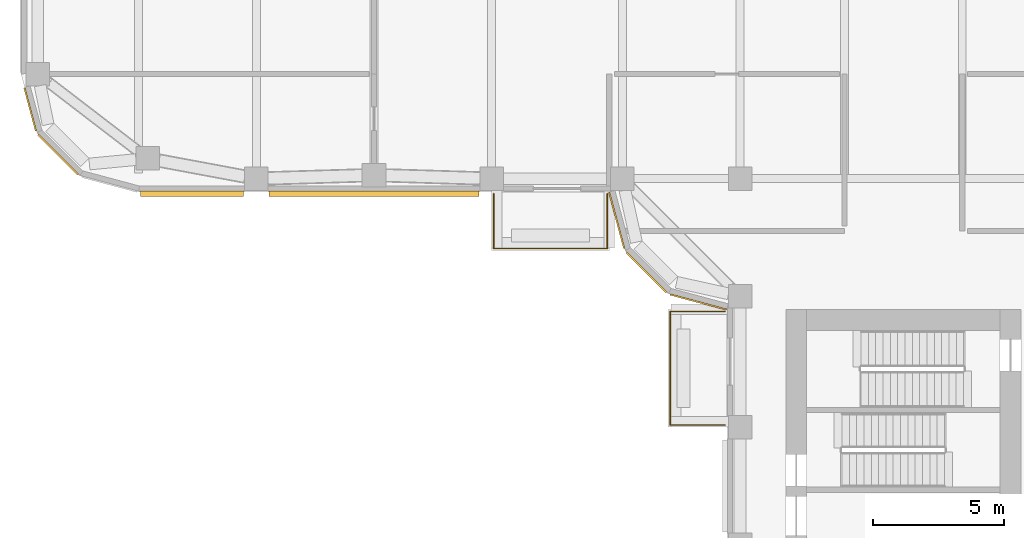
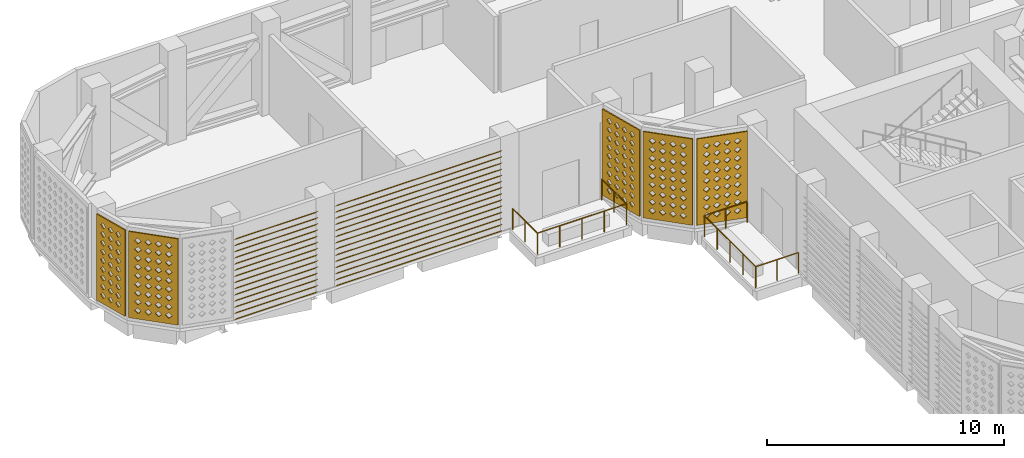
# One storey, part 10 of 20: 5 coverings, 2 railings, 2 shading devices.
"""IFC4 building model written with IfcOpenShell, lengths in metres."""

from ifc_helpers import new_model, si_unit, direction, frame, origin, origin_2d, place, context, subcontext, project, spatial, polyline, circle, outline, extrude, source, transform, mapped, material, layer, layer_set, type_object, element, save


model = new_model("IFC4")

# Units and contexts
model_context = context("Model", 3, precision=1e-05, world=origin(), true_north=direction((0.0, 1.0)))
body_context = subcontext(model_context, "Body", "Model", "MODEL_VIEW")
ifc_project = project(units=[si_unit("LENGTHUNIT", "METRE"), si_unit("AREAUNIT", "SQUARE_METRE"), si_unit("VOLUMEUNIT", "CUBIC_METRE"), si_unit("PLANEANGLEUNIT", "RADIAN"), si_unit("MASSUNIT", "GRAM", prefix="KILO")], contexts=[model_context])

# Site, building, storey
site_placement = place(None, origin())
site = spatial("IfcSite", under=ifc_project, at=site_placement, CompositionType="ELEMENT")
building_placement = place(site_placement, origin())
building = spatial("IfcBuilding", under=site, at=building_placement, Name="Zarbagh Exchange Tower", CompositionType="ELEMENT")
storey_placement = place(building_placement, frame((0.0, 0.0, 136.0)))
storey = spatial("IfcBuildingStorey", under=building, at=storey_placement, Name="L32", CompositionType="ELEMENT", Elevation=136.0)

# Railings
ifc_material_1 = material(Name="Stainless steel and laminated glass", Category="steel")
railing_type = type_object("IfcRailingType", Name="Terrace guard, glass balustrade 1.1 m", PredefinedType="GUARDRAIL", material=ifc_material_1)
railing_1_placement = place(storey_placement, frame((-6.830078125, -15.669921875, 0.0)))
element("IfcRailing", 1, at=railing_1_placement, inside=storey, type_object=railing_type, Name="TG01 terrace guard", PredefinedType="GUARDRAIL", context=body_context, shape_type="SweptSolid", body=[
    extrude(circle(Radius=0.02490234375, at=origin_2d()), frame((0.0, 0.0, 1.0751953125), z_axis=(-1.0, 0.0, 0.0), x_axis=(0.0, -1.0, 0.0)), (0.0, 0.0, 1.0), 2.08984375),
    extrude(circle(Radius=0.02490234375, at=origin_2d()), frame((-2.08984375, 0.0, 1.0751953125), z_axis=(0.0, 1.0, 0.0), x_axis=(-1.0, 0.0, 0.0)), (0.0, 0.0, 1.0), 4.33984375),
    extrude(circle(Radius=0.02490234375, at=origin_2d()), frame((-2.08984375, 4.33984375, 1.0751953125), z_axis=(1.0, 0.0, 0.0), x_axis=(0.0, 1.0, 0.0)), (0.0, 0.0, 1.0), 2.08984375),
    extrude(circle(Radius=0.02490234375, at=origin_2d()), origin(), (0.0, 0.0, 1.0), 1.050048828125),
    extrude(circle(Radius=0.02490234375, at=origin_2d()), frame((-1.044921875, 0.0, 0.0)), (0.0, 0.0, 1.0), 1.050048828125),
    extrude(circle(Radius=0.02490234375, at=origin_2d()), frame((-2.08984375, 0.0, 0.0)), (0.0, 0.0, 1.0), 1.050048828125),
    extrude(circle(Radius=0.02490234375, at=origin_2d()), frame((-2.08984375, 1.0849609375, 0.0)), (0.0, 0.0, 1.0), 1.050048828125),
    extrude(circle(Radius=0.02490234375, at=origin_2d()), frame((-2.08984375, 2.169921875, 0.0)), (0.0, 0.0, 1.0), 1.050048828125),
    extrude(circle(Radius=0.02490234375, at=origin_2d()), frame((-2.08984375, 3.2548828125, 0.0)), (0.0, 0.0, 1.0), 1.050048828125),
    extrude(circle(Radius=0.02490234375, at=origin_2d()), frame((-2.08984375, 4.33984375, 0.0)), (0.0, 0.0, 1.0), 1.050048828125),
    extrude(circle(Radius=0.02490234375, at=origin_2d()), frame((-1.044921875, 4.33984375, 0.0)), (0.0, 0.0, 1.0), 1.050048828125),
    extrude(circle(Radius=0.02490234375, at=origin_2d()), frame((0.0, 4.33984375, 0.0)), (0.0, 0.0, 1.0), 1.050048828125),
])
railing_2_placement = place(storey_placement, frame((-11.330078125, -6.830078125, 0.0)))
element("IfcRailing", 2, at=railing_2_placement, inside=storey, type_object=railing_type, Name="TG01 terrace guard", PredefinedType="GUARDRAIL", context=body_context, shape_type="SweptSolid", body=[
    extrude(circle(Radius=0.02490234375, at=origin_2d()), frame((0.0, 0.0, 1.0751953125), z_axis=(0.0, -1.0, 0.0), x_axis=(1.0, 0.0, 0.0)), (0.0, 0.0, 1.0), 2.08984375),
    extrude(circle(Radius=0.02490234375, at=origin_2d()), frame((0.0, -2.08984375, 1.0751953125), z_axis=(-1.0, 0.0, 0.0), x_axis=(0.0, -1.0, 0.0)), (0.0, 0.0, 1.0), 4.33984375),
    extrude(circle(Radius=0.02490234375, at=origin_2d()), frame((-4.33984375, -2.08984375, 1.0751953125), z_axis=(0.0, 1.0, 0.0), x_axis=(-1.0, 0.0, 0.0)), (0.0, 0.0, 1.0), 2.08984375),
    extrude(circle(Radius=0.02490234375, at=origin_2d()), origin(), (0.0, 0.0, 1.0), 1.050048828125),
    extrude(circle(Radius=0.02490234375, at=origin_2d()), frame((0.0, -1.044921875, 0.0)), (0.0, 0.0, 1.0), 1.050048828125),
    extrude(circle(Radius=0.02490234375, at=origin_2d()), frame((0.0, -2.08984375, 0.0)), (0.0, 0.0, 1.0), 1.050048828125),
    extrude(circle(Radius=0.02490234375, at=origin_2d()), frame((-1.0849609375, -2.08984375, 0.0)), (0.0, 0.0, 1.0), 1.050048828125),
    extrude(circle(Radius=0.02490234375, at=origin_2d()), frame((-2.169921875, -2.08984375, 0.0)), (0.0, 0.0, 1.0), 1.050048828125),
    extrude(circle(Radius=0.02490234375, at=origin_2d()), frame((-3.2548828125, -2.08984375, 0.0)), (0.0, 0.0, 1.0), 1.050048828125),
    extrude(circle(Radius=0.02490234375, at=origin_2d()), frame((-4.33984375, -2.08984375, 0.0)), (0.0, 0.0, 1.0), 1.050048828125),
    extrude(circle(Radius=0.02490234375, at=origin_2d()), frame((-4.33984375, -1.044921875, 0.0)), (0.0, 0.0, 1.0), 1.050048828125),
    extrude(circle(Radius=0.02490234375, at=origin_2d()), frame((-4.33984375, 0.0, 0.0)), (0.0, 0.0, 1.0), 1.050048828125),
])

# Coverings
ifc_material_2 = material(Name="Glass-fibre reinforced concrete GFRC C50/60", Category="concrete")
ifc_layer = layer(ifc_material_2, 0.06005859375)
ifc_layer_set = layer_set([ifc_layer], Name="SCREEN jali panel, GFRC")
covering_type = type_object("IfcCoveringType", Name="SCREEN jali panel, GFRC", PredefinedType="CLADDING", material=ifc_layer_set)
shared_shape_1 = source(origin(), body_context, "Body", "SweptSolid", [
    extrude(outline(polyline([(0.0, 0.0), (2.1650390625, 0.0), (2.1650390625, 4.449951171875), (0.0, 4.449951171875), (0.0, 0.0)]), holes=[polyline([(0.257568359375, 0.425048828125), (0.407470703125, 0.27490234375), (0.5576171875, 0.425048828125), (0.407470703125, 0.574951171875), (0.257568359375, 0.425048828125)]), polyline([(0.257568359375, 0.875), (0.407470703125, 0.72509765625), (0.5576171875, 0.875), (0.407470703125, 1.02490234375), (0.257568359375, 0.875)]), polyline([(0.257568359375, 1.324951171875), (0.407470703125, 1.175048828125), (0.5576171875, 1.324951171875), (0.407470703125, 1.47509765625), (0.257568359375, 1.324951171875)]), polyline([(0.257568359375, 1.77490234375), (0.407470703125, 1.625), (0.5576171875, 1.77490234375), (0.407470703125, 1.925048828125), (0.257568359375, 1.77490234375)]), polyline([(0.257568359375, 2.22509765625), (0.407470703125, 2.074951171875), (0.5576171875, 2.22509765625), (0.407470703125, 2.375), (0.257568359375, 2.22509765625)]), polyline([(0.257568359375, 2.675048828125), (0.407470703125, 2.52490234375), (0.5576171875, 2.675048828125), (0.407470703125, 2.824951171875), (0.257568359375, 2.675048828125)]), polyline([(0.257568359375, 3.125), (0.407470703125, 2.97509765625), (0.5576171875, 3.125), (0.407470703125, 3.27490234375), (0.257568359375, 3.125)]), polyline([(0.257568359375, 3.574951171875), (0.407470703125, 3.425048828125), (0.5576171875, 3.574951171875), (0.407470703125, 3.72509765625), (0.257568359375, 3.574951171875)]), polyline([(0.257568359375, 4.02490234375), (0.407470703125, 3.875), (0.5576171875, 4.02490234375), (0.407470703125, 4.175048828125), (0.257568359375, 4.02490234375)]), polyline([(0.70751953125, 0.425048828125), (0.857421875, 0.27490234375), (1.007568359375, 0.425048828125), (0.857421875, 0.574951171875), (0.70751953125, 0.425048828125)]), polyline([(0.70751953125, 0.875), (0.857421875, 0.72509765625), (1.007568359375, 0.875), (0.857421875, 1.02490234375), (0.70751953125, 0.875)]), polyline([(0.70751953125, 1.324951171875), (0.857421875, 1.175048828125), (1.007568359375, 1.324951171875), (0.857421875, 1.47509765625), (0.70751953125, 1.324951171875)]), polyline([(0.70751953125, 1.77490234375), (0.857421875, 1.625), (1.007568359375, 1.77490234375), (0.857421875, 1.925048828125), (0.70751953125, 1.77490234375)]), polyline([(0.70751953125, 2.22509765625), (0.857421875, 2.074951171875), (1.007568359375, 2.22509765625), (0.857421875, 2.375), (0.70751953125, 2.22509765625)]), polyline([(0.70751953125, 2.675048828125), (0.857421875, 2.52490234375), (1.007568359375, 2.675048828125), (0.857421875, 2.824951171875), (0.70751953125, 2.675048828125)]), polyline([(0.70751953125, 3.125), (0.857421875, 2.97509765625), (1.007568359375, 3.125), (0.857421875, 3.27490234375), (0.70751953125, 3.125)]), polyline([(0.70751953125, 3.574951171875), (0.857421875, 3.425048828125), (1.007568359375, 3.574951171875), (0.857421875, 3.72509765625), (0.70751953125, 3.574951171875)]), polyline([(0.70751953125, 4.02490234375), (0.857421875, 3.875), (1.007568359375, 4.02490234375), (0.857421875, 4.175048828125), (0.70751953125, 4.02490234375)]), polyline([(1.157470703125, 0.425048828125), (1.3076171875, 0.27490234375), (1.45751953125, 0.425048828125), (1.3076171875, 0.574951171875), (1.157470703125, 0.425048828125)]), polyline([(1.157470703125, 0.875), (1.3076171875, 0.72509765625), (1.45751953125, 0.875), (1.3076171875, 1.02490234375), (1.157470703125, 0.875)]), polyline([(1.157470703125, 1.324951171875), (1.3076171875, 1.175048828125), (1.45751953125, 1.324951171875), (1.3076171875, 1.47509765625), (1.157470703125, 1.324951171875)]), polyline([(1.157470703125, 1.77490234375), (1.3076171875, 1.625), (1.45751953125, 1.77490234375), (1.3076171875, 1.925048828125), (1.157470703125, 1.77490234375)]), polyline([(1.157470703125, 2.22509765625), (1.3076171875, 2.074951171875), (1.45751953125, 2.22509765625), (1.3076171875, 2.375), (1.157470703125, 2.22509765625)]), polyline([(1.157470703125, 2.675048828125), (1.3076171875, 2.52490234375), (1.45751953125, 2.675048828125), (1.3076171875, 2.824951171875), (1.157470703125, 2.675048828125)]), polyline([(1.157470703125, 3.125), (1.3076171875, 2.97509765625), (1.45751953125, 3.125), (1.3076171875, 3.27490234375), (1.157470703125, 3.125)]), polyline([(1.157470703125, 3.574951171875), (1.3076171875, 3.425048828125), (1.45751953125, 3.574951171875), (1.3076171875, 3.72509765625), (1.157470703125, 3.574951171875)]), polyline([(1.157470703125, 4.02490234375), (1.3076171875, 3.875), (1.45751953125, 4.02490234375), (1.3076171875, 4.175048828125), (1.157470703125, 4.02490234375)]), polyline([(1.607421875, 0.425048828125), (1.757568359375, 0.27490234375), (1.907470703125, 0.425048828125), (1.757568359375, 0.574951171875), (1.607421875, 0.425048828125)]), polyline([(1.607421875, 0.875), (1.757568359375, 0.72509765625), (1.907470703125, 0.875), (1.757568359375, 1.02490234375), (1.607421875, 0.875)]), polyline([(1.607421875, 1.324951171875), (1.757568359375, 1.175048828125), (1.907470703125, 1.324951171875), (1.757568359375, 1.47509765625), (1.607421875, 1.324951171875)]), polyline([(1.607421875, 1.77490234375), (1.757568359375, 1.625), (1.907470703125, 1.77490234375), (1.757568359375, 1.925048828125), (1.607421875, 1.77490234375)]), polyline([(1.607421875, 2.22509765625), (1.757568359375, 2.074951171875), (1.907470703125, 2.22509765625), (1.757568359375, 2.375), (1.607421875, 2.22509765625)]), polyline([(1.607421875, 2.675048828125), (1.757568359375, 2.52490234375), (1.907470703125, 2.675048828125), (1.757568359375, 2.824951171875), (1.607421875, 2.675048828125)]), polyline([(1.607421875, 3.125), (1.757568359375, 2.97509765625), (1.907470703125, 3.125), (1.757568359375, 3.27490234375), (1.607421875, 3.125)]), polyline([(1.607421875, 3.574951171875), (1.757568359375, 3.425048828125), (1.907470703125, 3.574951171875), (1.757568359375, 3.72509765625), (1.607421875, 3.574951171875)]), polyline([(1.607421875, 4.02490234375), (1.757568359375, 3.875), (1.907470703125, 4.02490234375), (1.757568359375, 4.175048828125), (1.607421875, 4.02490234375)])]), origin(), (0.0, 0.0, 1.0), 0.06005859375),
])
placement = place(storey_placement, origin())
element("IfcCovering", 3, at=placement, inside=storey, type_object=covering_type, Name="JS32 jali screen", PredefinedType="CLADDING", context=body_context, shape_type="MappedRepresentation", body=[
    mapped(shared_shape_1, transform((-33.074951171875, -4.5439453125, 0.199951171875), x_axis=(0.707106781187, -0.707106781187, 0.0), y_axis=(0.0, 0.0, 1.0), z_axis=(-0.707106781187, -0.707106781187, 0.0))),
])
element("IfcCovering", 4, at=placement, inside=storey, type_object=covering_type, Name="JS35 jali screen", PredefinedType="CLADDING", context=body_context, shape_type="MappedRepresentation", body=[
    mapped(shared_shape_1, transform((-10.574951171875, -9.0439453125, 0.199951171875), x_axis=(0.707106781187, -0.707106781187, 0.0), y_axis=(0.0, 0.0, 1.0), z_axis=(-0.707106781187, -0.707106781187, 0.0))),
])
shared_shape_2 = source(origin(), body_context, "Body", "SweptSolid", [
    extrude(outline(polyline([(0.0, 0.0), (1.707763671875, 0.0), (1.707763671875, 4.449951171875), (0.0, 4.449951171875), (0.0, 0.0)]), holes=[polyline([(0.25390625, 0.425048828125), (0.40380859375, 0.27490234375), (0.553955078125, 0.425048828125), (0.40380859375, 0.574951171875), (0.25390625, 0.425048828125)]), polyline([(0.25390625, 0.875), (0.40380859375, 0.72509765625), (0.553955078125, 0.875), (0.40380859375, 1.02490234375), (0.25390625, 0.875)]), polyline([(0.25390625, 1.324951171875), (0.40380859375, 1.175048828125), (0.553955078125, 1.324951171875), (0.40380859375, 1.47509765625), (0.25390625, 1.324951171875)]), polyline([(0.25390625, 1.77490234375), (0.40380859375, 1.625), (0.553955078125, 1.77490234375), (0.40380859375, 1.925048828125), (0.25390625, 1.77490234375)]), polyline([(0.25390625, 2.22509765625), (0.40380859375, 2.074951171875), (0.553955078125, 2.22509765625), (0.40380859375, 2.375), (0.25390625, 2.22509765625)]), polyline([(0.25390625, 2.675048828125), (0.40380859375, 2.52490234375), (0.553955078125, 2.675048828125), (0.40380859375, 2.824951171875), (0.25390625, 2.675048828125)]), polyline([(0.25390625, 3.125), (0.40380859375, 2.97509765625), (0.553955078125, 3.125), (0.40380859375, 3.27490234375), (0.25390625, 3.125)]), polyline([(0.25390625, 3.574951171875), (0.40380859375, 3.425048828125), (0.553955078125, 3.574951171875), (0.40380859375, 3.72509765625), (0.25390625, 3.574951171875)]), polyline([(0.25390625, 4.02490234375), (0.40380859375, 3.875), (0.553955078125, 4.02490234375), (0.40380859375, 4.175048828125), (0.25390625, 4.02490234375)]), polyline([(0.703857421875, 0.425048828125), (0.85400390625, 0.27490234375), (1.00390625, 0.425048828125), (0.85400390625, 0.574951171875), (0.703857421875, 0.425048828125)]), polyline([(0.703857421875, 0.875), (0.85400390625, 0.72509765625), (1.00390625, 0.875), (0.85400390625, 1.02490234375), (0.703857421875, 0.875)]), polyline([(0.703857421875, 1.324951171875), (0.85400390625, 1.175048828125), (1.00390625, 1.324951171875), (0.85400390625, 1.47509765625), (0.703857421875, 1.324951171875)]), polyline([(0.703857421875, 1.77490234375), (0.85400390625, 1.625), (1.00390625, 1.77490234375), (0.85400390625, 1.925048828125), (0.703857421875, 1.77490234375)]), polyline([(0.703857421875, 2.22509765625), (0.85400390625, 2.074951171875), (1.00390625, 2.22509765625), (0.85400390625, 2.375), (0.703857421875, 2.22509765625)]), polyline([(0.703857421875, 2.675048828125), (0.85400390625, 2.52490234375), (1.00390625, 2.675048828125), (0.85400390625, 2.824951171875), (0.703857421875, 2.675048828125)]), polyline([(0.703857421875, 3.125), (0.85400390625, 2.97509765625), (1.00390625, 3.125), (0.85400390625, 3.27490234375), (0.703857421875, 3.125)]), polyline([(0.703857421875, 3.574951171875), (0.85400390625, 3.425048828125), (1.00390625, 3.574951171875), (0.85400390625, 3.72509765625), (0.703857421875, 3.574951171875)]), polyline([(0.703857421875, 4.02490234375), (0.85400390625, 3.875), (1.00390625, 4.02490234375), (0.85400390625, 4.175048828125), (0.703857421875, 4.02490234375)]), polyline([(1.15380859375, 0.425048828125), (1.303955078125, 0.27490234375), (1.453857421875, 0.425048828125), (1.303955078125, 0.574951171875), (1.15380859375, 0.425048828125)]), polyline([(1.15380859375, 0.875), (1.303955078125, 0.72509765625), (1.453857421875, 0.875), (1.303955078125, 1.02490234375), (1.15380859375, 0.875)]), polyline([(1.15380859375, 1.324951171875), (1.303955078125, 1.175048828125), (1.453857421875, 1.324951171875), (1.303955078125, 1.47509765625), (1.15380859375, 1.324951171875)]), polyline([(1.15380859375, 1.77490234375), (1.303955078125, 1.625), (1.453857421875, 1.77490234375), (1.303955078125, 1.925048828125), (1.15380859375, 1.77490234375)]), polyline([(1.15380859375, 2.22509765625), (1.303955078125, 2.074951171875), (1.453857421875, 2.22509765625), (1.303955078125, 2.375), (1.15380859375, 2.22509765625)]), polyline([(1.15380859375, 2.675048828125), (1.303955078125, 2.52490234375), (1.453857421875, 2.675048828125), (1.303955078125, 2.824951171875), (1.15380859375, 2.675048828125)]), polyline([(1.15380859375, 3.125), (1.303955078125, 2.97509765625), (1.453857421875, 3.125), (1.303955078125, 3.27490234375), (1.15380859375, 3.125)]), polyline([(1.15380859375, 3.574951171875), (1.303955078125, 3.425048828125), (1.453857421875, 3.574951171875), (1.303955078125, 3.72509765625), (1.15380859375, 3.574951171875)]), polyline([(1.15380859375, 4.02490234375), (1.303955078125, 3.875), (1.453857421875, 4.02490234375), (1.303955078125, 4.175048828125), (1.15380859375, 4.02490234375)])]), origin(), (0.0, 0.0, 1.0), 0.06005859375),
])
element("IfcCovering", 5, at=placement, inside=storey, type_object=covering_type, Name="JS31 jali screen", PredefinedType="CLADDING", context=body_context, shape_type="MappedRepresentation", body=[
    mapped(shared_shape_2, transform((-33.591064453125, -2.765869140625, 0.199951171875), x_axis=(0.258825057666, -0.965924215207, 0.0), y_axis=(0.0, 0.0, 1.0), z_axis=(-0.965924215207, -0.258825057666, 0.0))),
])
shared_shape_3 = source(origin(), body_context, "Body", "SweptSolid", [
    extrude(outline(polyline([(0.0, 0.0), (2.225341796875, 0.0), (2.225341796875, 4.449951171875), (0.0, 4.449951171875), (0.0, 0.0)]), holes=[polyline([(0.28759765625, 0.425048828125), (0.437744140625, 0.27490234375), (0.587646484375, 0.425048828125), (0.437744140625, 0.574951171875), (0.28759765625, 0.425048828125)]), polyline([(0.28759765625, 0.875), (0.437744140625, 0.72509765625), (0.587646484375, 0.875), (0.437744140625, 1.02490234375), (0.28759765625, 0.875)]), polyline([(0.28759765625, 1.324951171875), (0.437744140625, 1.175048828125), (0.587646484375, 1.324951171875), (0.437744140625, 1.47509765625), (0.28759765625, 1.324951171875)]), polyline([(0.28759765625, 1.77490234375), (0.437744140625, 1.625), (0.587646484375, 1.77490234375), (0.437744140625, 1.925048828125), (0.28759765625, 1.77490234375)]), polyline([(0.28759765625, 2.22509765625), (0.437744140625, 2.074951171875), (0.587646484375, 2.22509765625), (0.437744140625, 2.375), (0.28759765625, 2.22509765625)]), polyline([(0.28759765625, 2.675048828125), (0.437744140625, 2.52490234375), (0.587646484375, 2.675048828125), (0.437744140625, 2.824951171875), (0.28759765625, 2.675048828125)]), polyline([(0.28759765625, 3.125), (0.437744140625, 2.97509765625), (0.587646484375, 3.125), (0.437744140625, 3.27490234375), (0.28759765625, 3.125)]), polyline([(0.28759765625, 3.574951171875), (0.437744140625, 3.425048828125), (0.587646484375, 3.574951171875), (0.437744140625, 3.72509765625), (0.28759765625, 3.574951171875)]), polyline([(0.28759765625, 4.02490234375), (0.437744140625, 3.875), (0.587646484375, 4.02490234375), (0.437744140625, 4.175048828125), (0.28759765625, 4.02490234375)]), polyline([(0.73779296875, 0.425048828125), (0.8876953125, 0.27490234375), (1.03759765625, 0.425048828125), (0.8876953125, 0.574951171875), (0.73779296875, 0.425048828125)]), polyline([(0.73779296875, 0.875), (0.8876953125, 0.72509765625), (1.03759765625, 0.875), (0.8876953125, 1.02490234375), (0.73779296875, 0.875)]), polyline([(0.73779296875, 1.324951171875), (0.8876953125, 1.175048828125), (1.03759765625, 1.324951171875), (0.8876953125, 1.47509765625), (0.73779296875, 1.324951171875)]), polyline([(0.73779296875, 1.77490234375), (0.8876953125, 1.625), (1.03759765625, 1.77490234375), (0.8876953125, 1.925048828125), (0.73779296875, 1.77490234375)]), polyline([(0.73779296875, 2.22509765625), (0.8876953125, 2.074951171875), (1.03759765625, 2.22509765625), (0.8876953125, 2.375), (0.73779296875, 2.22509765625)]), polyline([(0.73779296875, 2.675048828125), (0.8876953125, 2.52490234375), (1.03759765625, 2.675048828125), (0.8876953125, 2.824951171875), (0.73779296875, 2.675048828125)]), polyline([(0.73779296875, 3.125), (0.8876953125, 2.97509765625), (1.03759765625, 3.125), (0.8876953125, 3.27490234375), (0.73779296875, 3.125)]), polyline([(0.73779296875, 3.574951171875), (0.8876953125, 3.425048828125), (1.03759765625, 3.574951171875), (0.8876953125, 3.72509765625), (0.73779296875, 3.574951171875)]), polyline([(0.73779296875, 4.02490234375), (0.8876953125, 3.875), (1.03759765625, 4.02490234375), (0.8876953125, 4.175048828125), (0.73779296875, 4.02490234375)]), polyline([(1.187744140625, 0.425048828125), (1.337646484375, 0.27490234375), (1.48779296875, 0.425048828125), (1.337646484375, 0.574951171875), (1.187744140625, 0.425048828125)]), polyline([(1.187744140625, 0.875), (1.337646484375, 0.72509765625), (1.48779296875, 0.875), (1.337646484375, 1.02490234375), (1.187744140625, 0.875)]), polyline([(1.187744140625, 1.324951171875), (1.337646484375, 1.175048828125), (1.48779296875, 1.324951171875), (1.337646484375, 1.47509765625), (1.187744140625, 1.324951171875)]), polyline([(1.187744140625, 1.77490234375), (1.337646484375, 1.625), (1.48779296875, 1.77490234375), (1.337646484375, 1.925048828125), (1.187744140625, 1.77490234375)]), polyline([(1.187744140625, 2.22509765625), (1.337646484375, 2.074951171875), (1.48779296875, 2.22509765625), (1.337646484375, 2.375), (1.187744140625, 2.22509765625)]), polyline([(1.187744140625, 2.675048828125), (1.337646484375, 2.52490234375), (1.48779296875, 2.675048828125), (1.337646484375, 2.824951171875), (1.187744140625, 2.675048828125)]), polyline([(1.187744140625, 3.125), (1.337646484375, 2.97509765625), (1.48779296875, 3.125), (1.337646484375, 3.27490234375), (1.187744140625, 3.125)]), polyline([(1.187744140625, 3.574951171875), (1.337646484375, 3.425048828125), (1.48779296875, 3.574951171875), (1.337646484375, 3.72509765625), (1.187744140625, 3.574951171875)]), polyline([(1.187744140625, 4.02490234375), (1.337646484375, 3.875), (1.48779296875, 4.02490234375), (1.337646484375, 4.175048828125), (1.187744140625, 4.02490234375)]), polyline([(1.6376953125, 0.425048828125), (1.78759765625, 0.27490234375), (1.937744140625, 0.425048828125), (1.78759765625, 0.574951171875), (1.6376953125, 0.425048828125)]), polyline([(1.6376953125, 0.875), (1.78759765625, 0.72509765625), (1.937744140625, 0.875), (1.78759765625, 1.02490234375), (1.6376953125, 0.875)]), polyline([(1.6376953125, 1.324951171875), (1.78759765625, 1.175048828125), (1.937744140625, 1.324951171875), (1.78759765625, 1.47509765625), (1.6376953125, 1.324951171875)]), polyline([(1.6376953125, 1.77490234375), (1.78759765625, 1.625), (1.937744140625, 1.77490234375), (1.78759765625, 1.925048828125), (1.6376953125, 1.77490234375)]), polyline([(1.6376953125, 2.22509765625), (1.78759765625, 2.074951171875), (1.937744140625, 2.22509765625), (1.78759765625, 2.375), (1.6376953125, 2.22509765625)]), polyline([(1.6376953125, 2.675048828125), (1.78759765625, 2.52490234375), (1.937744140625, 2.675048828125), (1.78759765625, 2.824951171875), (1.6376953125, 2.675048828125)]), polyline([(1.6376953125, 3.125), (1.78759765625, 2.97509765625), (1.937744140625, 3.125), (1.78759765625, 3.27490234375), (1.6376953125, 3.125)]), polyline([(1.6376953125, 3.574951171875), (1.78759765625, 3.425048828125), (1.937744140625, 3.574951171875), (1.78759765625, 3.72509765625), (1.6376953125, 3.574951171875)]), polyline([(1.6376953125, 4.02490234375), (1.78759765625, 3.875), (1.937744140625, 4.02490234375), (1.78759765625, 4.175048828125), (1.6376953125, 4.02490234375)])]), origin(), (0.0, 0.0, 1.0), 0.06005859375),
])
element("IfcCovering", 6, at=placement, inside=storey, type_object=covering_type, Name="JS34 jali screen", PredefinedType="CLADDING", context=body_context, shape_type="MappedRepresentation", body=[
    mapped(shared_shape_3, transform((-11.22509765625, -6.765869140625, 0.199951171875), x_axis=(0.258825057666, -0.965924215207, 0.0), y_axis=(0.0, 0.0, 1.0), z_axis=(-0.965924215207, -0.258825057666, 0.0))),
])
element("IfcCovering", 7, at=placement, inside=storey, type_object=covering_type, Name="JS36 jali screen", PredefinedType="CLADDING", context=body_context, shape_type="MappedRepresentation", body=[
    mapped(shared_shape_3, transform((-8.91552734375, -10.64892578125, 0.199951171875), x_axis=(0.965924215207, -0.258825057666, 0.0), y_axis=(0.0, 0.0, 1.0), z_axis=(-0.258825057666, -0.965924215207, 0.0))),
])

# Shading devices
ifc_material_3 = material(Name="Anodised aluminium", Category="aluminium")
shading_device_type = type_object("IfcShadingDeviceType", Name="LOUVRE plant louvre, fixed blades", PredefinedType="USERDEFINED", material=ifc_material_3)
shared_shape_4 = source(origin(), body_context, "Body", "SweptSolid", [
    extrude(outline(polyline([(0.0, 0.199951171875), (0.199951171875, 0.0), (0.199951171875, -0.02001953125), (0.0, 0.179931640625), (0.0, 0.199951171875)])), origin(), (0.0, 0.0, 1.0), 8.02001953125),
])
element("IfcShadingDevice", 8, at=placement, inside=storey, type_object=shading_device_type, Name="LV07 plant louvre", ObjectType="LOUVRE", PredefinedType="USERDEFINED", context=body_context, shape_type="MappedRepresentation", body=[
    mapped(shared_shape_4, transform((-24.260009765625, -6.72998046875, 0.199951171875), x_axis=(0.0, -1.0, 0.0), y_axis=(0.0, 0.0, -1.0), z_axis=(1.0, 0.0, 0.0))),
    mapped(shared_shape_4, transform((-24.260009765625, -6.72998046875, 0.517822265625), x_axis=(0.0, -1.0, 0.0), y_axis=(0.0, 0.0, -1.0), z_axis=(1.0, 0.0, 0.0))),
    mapped(shared_shape_4, transform((-24.260009765625, -6.72998046875, 0.835693359375), x_axis=(0.0, -1.0, 0.0), y_axis=(0.0, 0.0, -1.0), z_axis=(1.0, 0.0, 0.0))),
    mapped(shared_shape_4, transform((-24.260009765625, -6.72998046875, 1.153564453125), x_axis=(0.0, -1.0, 0.0), y_axis=(0.0, 0.0, -1.0), z_axis=(1.0, 0.0, 0.0))),
    mapped(shared_shape_4, transform((-24.260009765625, -6.72998046875, 1.471435546875), x_axis=(0.0, -1.0, 0.0), y_axis=(0.0, 0.0, -1.0), z_axis=(1.0, 0.0, 0.0))),
    mapped(shared_shape_4, transform((-24.260009765625, -6.72998046875, 1.789306640625), x_axis=(0.0, -1.0, 0.0), y_axis=(0.0, 0.0, -1.0), z_axis=(1.0, 0.0, 0.0))),
    mapped(shared_shape_4, transform((-24.260009765625, -6.72998046875, 2.107177734375), x_axis=(0.0, -1.0, 0.0), y_axis=(0.0, 0.0, -1.0), z_axis=(1.0, 0.0, 0.0))),
    mapped(shared_shape_4, transform((-24.260009765625, -6.72998046875, 2.425048828125), x_axis=(0.0, -1.0, 0.0), y_axis=(0.0, 0.0, -1.0), z_axis=(1.0, 0.0, 0.0))),
    mapped(shared_shape_4, transform((-24.260009765625, -6.72998046875, 2.742919921875), x_axis=(0.0, -1.0, 0.0), y_axis=(0.0, 0.0, -1.0), z_axis=(1.0, 0.0, 0.0))),
    mapped(shared_shape_4, transform((-24.260009765625, -6.72998046875, 3.060791015625), x_axis=(0.0, -1.0, 0.0), y_axis=(0.0, 0.0, -1.0), z_axis=(1.0, 0.0, 0.0))),
    mapped(shared_shape_4, transform((-24.260009765625, -6.72998046875, 3.378662109375), x_axis=(0.0, -1.0, 0.0), y_axis=(0.0, 0.0, -1.0), z_axis=(1.0, 0.0, 0.0))),
    mapped(shared_shape_4, transform((-24.260009765625, -6.72998046875, 3.696533203125), x_axis=(0.0, -1.0, 0.0), y_axis=(0.0, 0.0, -1.0), z_axis=(1.0, 0.0, 0.0))),
    mapped(shared_shape_4, transform((-24.260009765625, -6.72998046875, 4.014404296875), x_axis=(0.0, -1.0, 0.0), y_axis=(0.0, 0.0, -1.0), z_axis=(1.0, 0.0, 0.0))),
    mapped(shared_shape_4, transform((-24.260009765625, -6.72998046875, 4.33203125), x_axis=(0.0, -1.0, 0.0), y_axis=(0.0, 0.0, -1.0), z_axis=(1.0, 0.0, 0.0))),
])
shared_shape_5 = source(origin(), body_context, "Body", "SweptSolid", [
    extrude(outline(polyline([(0.0, 0.199951171875), (0.199951171875, 0.0), (0.199951171875, -0.02001953125), (0.0, 0.179931640625), (0.0, 0.199951171875)])), origin(), (0.0, 0.0, 1.0), 3.944091796875),
])
element("IfcShadingDevice", 9, at=placement, inside=storey, type_object=shading_device_type, Name="LV07 plant louvre", ObjectType="LOUVRE", PredefinedType="USERDEFINED", context=body_context, shape_type="MappedRepresentation", body=[
    mapped(shared_shape_5, transform((-29.18408203125, -6.72998046875, 0.199951171875), x_axis=(0.0, -1.0, 0.0), y_axis=(0.0, 0.0, -1.0), z_axis=(1.0, 0.0, 0.0))),
    mapped(shared_shape_5, transform((-29.18408203125, -6.72998046875, 0.517822265625), x_axis=(0.0, -1.0, 0.0), y_axis=(0.0, 0.0, -1.0), z_axis=(1.0, 0.0, 0.0))),
    mapped(shared_shape_5, transform((-29.18408203125, -6.72998046875, 0.835693359375), x_axis=(0.0, -1.0, 0.0), y_axis=(0.0, 0.0, -1.0), z_axis=(1.0, 0.0, 0.0))),
    mapped(shared_shape_5, transform((-29.18408203125, -6.72998046875, 1.153564453125), x_axis=(0.0, -1.0, 0.0), y_axis=(0.0, 0.0, -1.0), z_axis=(1.0, 0.0, 0.0))),
    mapped(shared_shape_5, transform((-29.18408203125, -6.72998046875, 1.471435546875), x_axis=(0.0, -1.0, 0.0), y_axis=(0.0, 0.0, -1.0), z_axis=(1.0, 0.0, 0.0))),
    mapped(shared_shape_5, transform((-29.18408203125, -6.72998046875, 1.789306640625), x_axis=(0.0, -1.0, 0.0), y_axis=(0.0, 0.0, -1.0), z_axis=(1.0, 0.0, 0.0))),
    mapped(shared_shape_5, transform((-29.18408203125, -6.72998046875, 2.107177734375), x_axis=(0.0, -1.0, 0.0), y_axis=(0.0, 0.0, -1.0), z_axis=(1.0, 0.0, 0.0))),
    mapped(shared_shape_5, transform((-29.18408203125, -6.72998046875, 2.425048828125), x_axis=(0.0, -1.0, 0.0), y_axis=(0.0, 0.0, -1.0), z_axis=(1.0, 0.0, 0.0))),
    mapped(shared_shape_5, transform((-29.18408203125, -6.72998046875, 2.742919921875), x_axis=(0.0, -1.0, 0.0), y_axis=(0.0, 0.0, -1.0), z_axis=(1.0, 0.0, 0.0))),
    mapped(shared_shape_5, transform((-29.18408203125, -6.72998046875, 3.060791015625), x_axis=(0.0, -1.0, 0.0), y_axis=(0.0, 0.0, -1.0), z_axis=(1.0, 0.0, 0.0))),
    mapped(shared_shape_5, transform((-29.18408203125, -6.72998046875, 3.378662109375), x_axis=(0.0, -1.0, 0.0), y_axis=(0.0, 0.0, -1.0), z_axis=(1.0, 0.0, 0.0))),
    mapped(shared_shape_5, transform((-29.18408203125, -6.72998046875, 3.696533203125), x_axis=(0.0, -1.0, 0.0), y_axis=(0.0, 0.0, -1.0), z_axis=(1.0, 0.0, 0.0))),
    mapped(shared_shape_5, transform((-29.18408203125, -6.72998046875, 4.014404296875), x_axis=(0.0, -1.0, 0.0), y_axis=(0.0, 0.0, -1.0), z_axis=(1.0, 0.0, 0.0))),
    mapped(shared_shape_5, transform((-29.18408203125, -6.72998046875, 4.33203125), x_axis=(0.0, -1.0, 0.0), y_axis=(0.0, 0.0, -1.0), z_axis=(1.0, 0.0, 0.0))),
])

save(model, "model.ifc")
